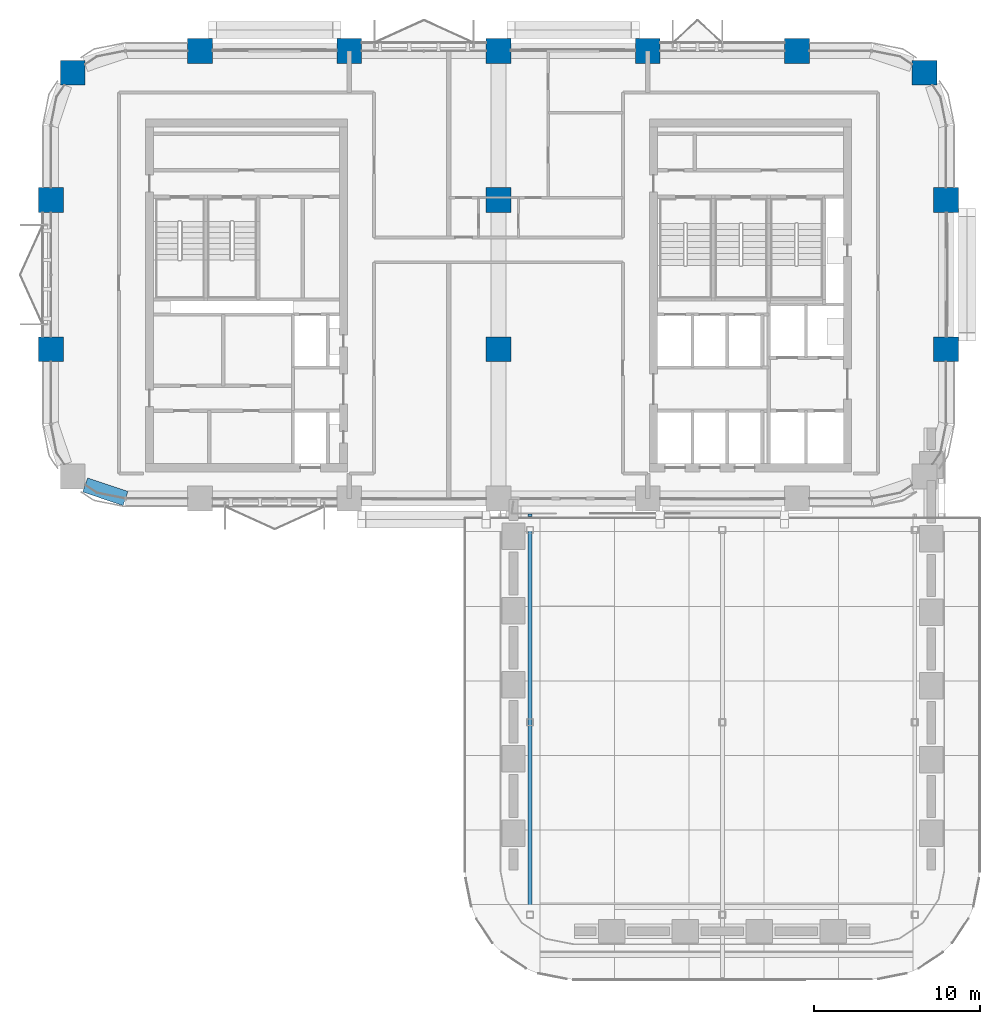
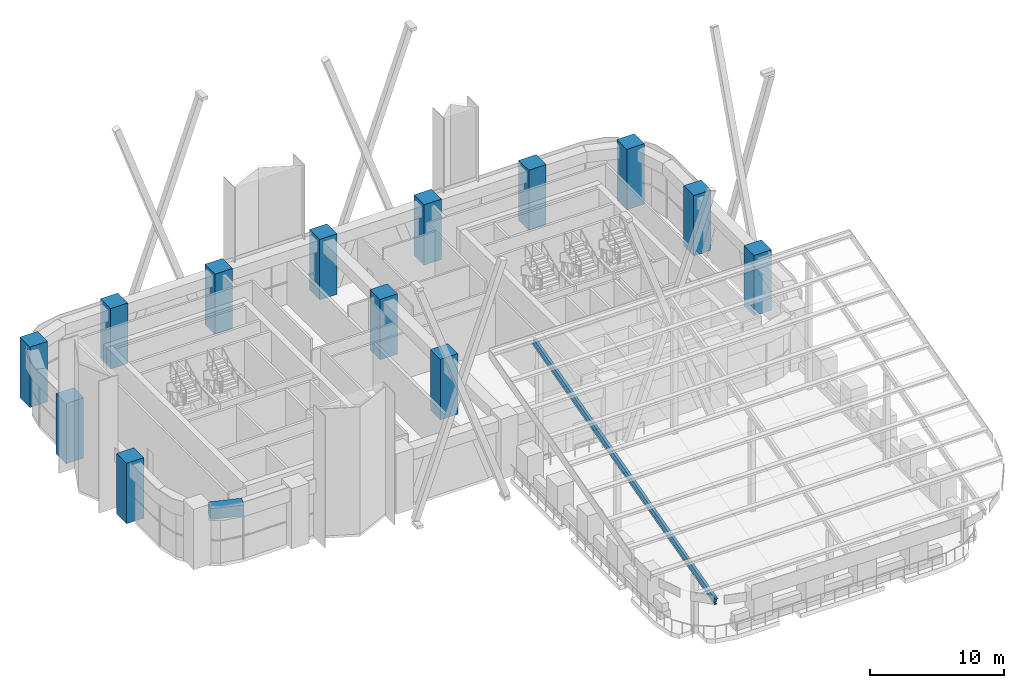
# One storey, part 3 of 22: 13 columns, 1 beam, 1 member.
"""IFC4 building model written with IfcOpenShell, lengths in metres."""

from ifc_helpers import new_model, si_unit, direction, frame, origin, origin_2d, place, context, subcontext, project, spatial, rectangle, i_section, extrude, material, material_profile, profile_set, type_object, element, save


model = new_model("IFC4")

# Units and contexts
model_context = context("Model", 3, precision=1e-05, world=origin(), true_north=direction((0.0, 1.0)))
body_context = subcontext(model_context, "Body", "Model", "MODEL_VIEW")
ifc_project = project(units=[si_unit("LENGTHUNIT", "METRE"), si_unit("AREAUNIT", "SQUARE_METRE"), si_unit("VOLUMEUNIT", "CUBIC_METRE"), si_unit("PLANEANGLEUNIT", "RADIAN"), si_unit("MASSUNIT", "GRAM", prefix="KILO")], contexts=[model_context])

# Site, building, storey
site_placement = place(None, origin())
site = spatial("IfcSite", under=ifc_project, at=site_placement, CompositionType="ELEMENT")
building_placement = place(site_placement, origin())
building = spatial("IfcBuilding", under=site, at=building_placement, Name="Tessera Arch", CompositionType="ELEMENT")
storey_placement = place(building_placement, frame((0.0, 0.0, 129.39990234375)))
storey = spatial("IfcBuildingStorey", under=building, at=storey_placement, Name="L30", CompositionType="ELEMENT", Elevation=129.39990234375)

# Columns
ifc_material_1 = material(Name="Concrete C70/85", Category="concrete")
ifc_material_profile_1 = material_profile(ifc_material_1, rectangle(XDim=1.5, YDim=1.5, at=origin_2d()), Name="RC column 1500 x 1500 Concrete C70/85")
ifc_profile_set_1 = profile_set([ifc_material_profile_1], Name="Concrete C70/85")
column_type = type_object("IfcColumnType", Name="RC column 1500 x 1500 Concrete C70/85", PredefinedType="COLUMN", material=ifc_profile_set_1)
for number, where, z_axis, x_axis, name in (
    (1, (0.0, 36.0, 0.0), (0.0, 0.0, 1.0), (1.0, 0.0, 0.0), "Column C1E L30"),
    (2, (0.0, 45.0, 0.0), (0.0, 0.0, 1.0), (1.0, 0.0, 0.0), "Column C1F L30"),
    (3, (1.318115234375, 52.681884765625, 0.0), (0.0, 0.0, 1.0), (1.0, 0.0, 0.0), "Column C1G L30"),
    (4, (9.0, 54.0, 0.0), (0.0, 0.0, 1.0), (1.0, 0.0, 0.0), "Column C2G L30"),
    (5, (18.0, 54.0, 0.0), (0.0, 0.0, 1.0), (1.0, 0.0, 0.0), "Column C3G L30"),
    (6, (27.0, 36.0, 0.0), (0.0, 0.0, 1.0), (1.0, 0.0, 0.0), "Column C4E L30"),
    (7, (27.0, 45.0, 0.0), (0.0, 0.0, 1.0), (1.0, 0.0, 0.0), "Column C4F L30"),
    (8, (27.0, 54.0, 0.0), (0.0, 0.0, 1.0), (1.0, 0.0, 0.0), "Column C4G L30"),
    (9, (36.0, 54.0, 0.0), (0.0, 0.0, 1.0), (1.0, 0.0, 0.0), "Column C5G L30"),
    (10, (45.0, 54.0, 0.0), (0.0, 0.0, 1.0), (1.0, 0.0, 0.0), "Column C6G L30"),
    (11, (54.0, 36.0, 0.0), (0.0, 0.0, 1.0), (1.0, 0.0, 0.0), "Column C7E L30"),
    (12, (54.0, 45.0, 0.0), (0.0, 0.0, 1.0), (1.0, 0.0, 0.0), "Column C7F L30"),
    (13, (52.681884765625, 52.681884765625, 0.0), (0.0, 0.0, 1.0), (1.0, 0.0, 0.0), "Column C7G L30"),
):
    element("IfcColumn", number, at=place(storey_placement, frame(where, z_axis=z_axis, x_axis=x_axis)), inside=storey, type_object=column_type, Name=name, PredefinedType="COLUMN", context=body_context, shape_type="SweptSolid", body=[
        extrude(rectangle(XDim=1.5, YDim=1.5, at=origin_2d()), origin(), (0.0, 0.0, 1.0), 5.5),
    ])

# Member
ifc_material_2 = material(Name="Steel A992 Gr50", Category="steel")
ifc_material_profile_2 = material_profile(ifc_material_2, i_section(OverallWidth=0.230224609375, OverallDepth=0.617431640625, WebThickness=0.01318359375, FlangeThickness=0.022216796875, at=origin_2d()), Name="W24x94")
ifc_profile_set_2 = profile_set([ifc_material_profile_2], Name="Steel A992 Gr50")
member_type = type_object("IfcMemberType", Name="Canopy rib W24x94", PredefinedType="RAFTER", material=ifc_profile_set_2)
member_placement = place(storey_placement, frame((28.89990234375, -1.272705078125, 4.673828125), z_axis=(0.0, 0.965925031181, 0.258822012467), x_axis=(-1.0, 0.0, 0.0)))
element("IfcMember", 14, at=member_placement, inside=storey, type_object=member_type, Name="Canopy rib T3-1", PredefinedType="RAFTER", context=body_context, shape_type="SweptSolid", body=[
    extrude(i_section(OverallWidth=0.230224609375, OverallDepth=0.617431640625, WebThickness=0.01318359375, FlangeThickness=0.022216796875, at=origin_2d()), origin(), (0.0, 0.0, 1.0), 28.21435546875),
])

# Beam
ifc_material_3 = material(Name="Concrete C70/85", Category="concrete")
ifc_material_profile_3 = material_profile(ifc_material_3, rectangle(XDim=0.89990234375, YDim=1.0, at=origin_2d()), Name="RC spandrel beam 900 x 1000 Concrete C70/85")
ifc_profile_set_3 = profile_set([ifc_material_profile_3], Name="Concrete C70/85")
beam_type = type_object("IfcBeamType", Name="RC spandrel beam 900 x 1000 Concrete C70/85", PredefinedType="BEAM", material=ifc_profile_set_3)
beam_placement = place(storey_placement, frame((2.068115234375, 27.81689453125, 4.7001953125), z_axis=(0.947947973234, -0.31842525032, 0.0), x_axis=(0.31842525032, 0.947947973234, 0.0)))
element("IfcBeam", 15, at=beam_placement, inside=storey, type_object=beam_type, Name="Spandrel beam L30 S27.0/0.1", PredefinedType="BEAM", context=body_context, shape_type="SweptSolid", body=[
    extrude(rectangle(XDim=0.89990234375, YDim=1.0, at=origin_2d()), origin(), (0.0, 0.0, 1.0), 2.5654296875),
])

save(model, "model.ifc")
